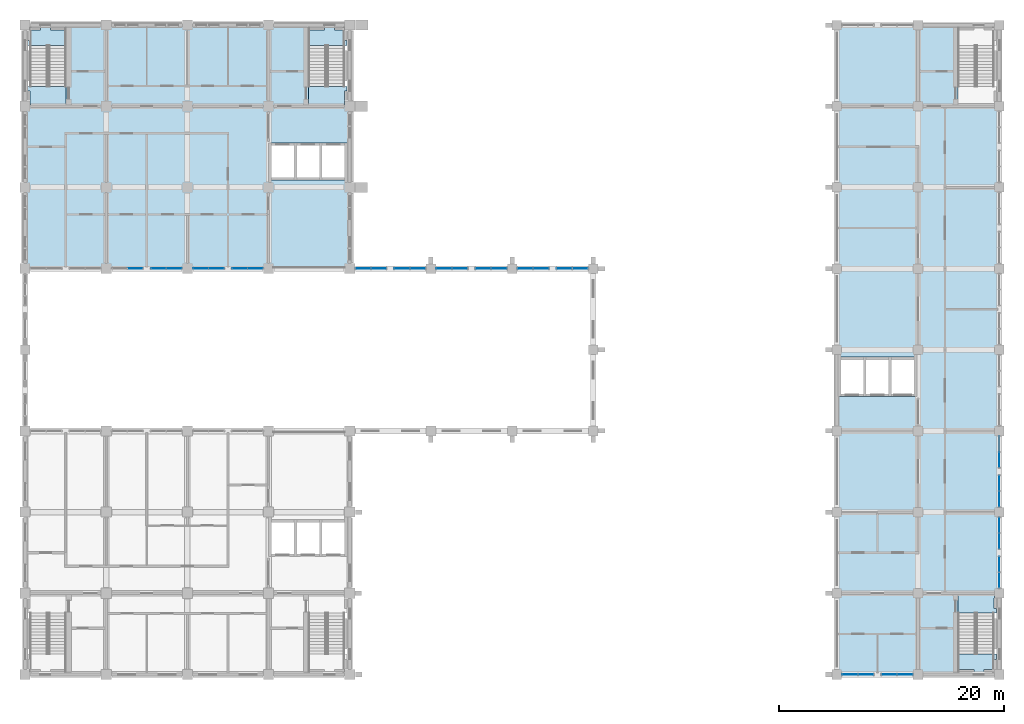
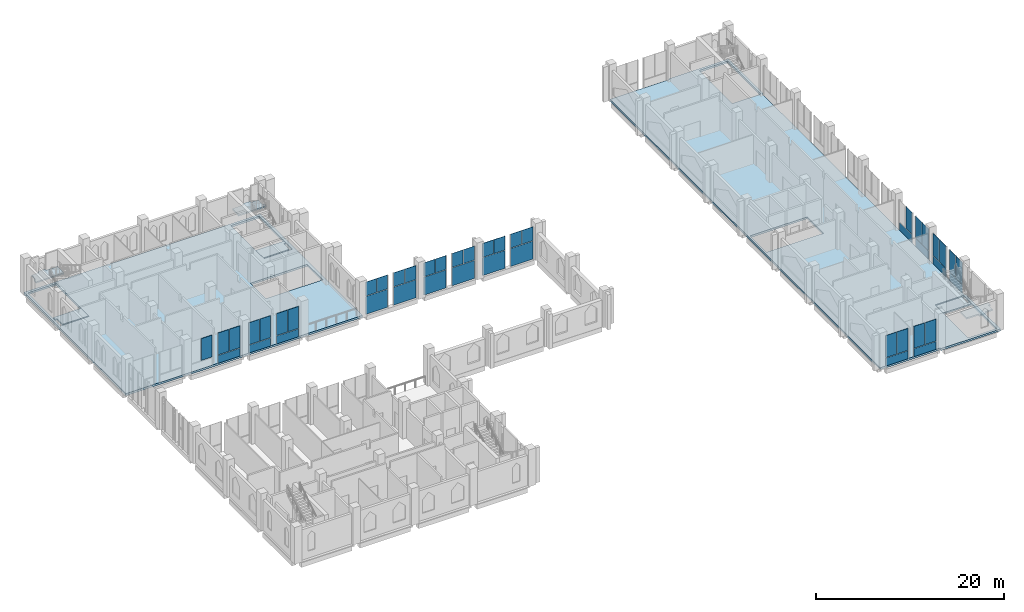
# One storey, part 25 of 40: 45 plates, 8 slabs, 19 elements without a shape of their own.
"""IFC4 building model written with IfcOpenShell, lengths in metres."""

import ifcopenshell
import ifcopenshell.guid

model = None  # the IFC model being written
_history = None  # IfcOwnerHistory: only IFC2X3 demands one
_inside = {}  # id of a spatial element -> (the spatial element, [elements in it])
_under = {}  # id of a project, library or spatial element -> (it, [spatial elements below it])
_declared = {}  # id of a project -> (the project, [libraries it declares])
_typed = {}  # id of a type object -> (the type object, [elements of that type])
_made_of = {}  # id of a material, layer set ... -> (it, [elements and type objects made of it])


def new_model(schema):
    """Start an empty IFC model of exactly this schema.

    Asked for "IFC4X3", IfcOpenShell would pick the latest addendum, in which some entities
    have other attributes; the version numbers below select the first issue.
    IFC2X3 requires an IfcOwnerHistory on every rooted entity: one is made here for all.
    """
    global model, _history
    if schema == "IFC4X3":
        model = ifcopenshell.file(schema_version=(4, 3, 0, 0))
    else:
        model = ifcopenshell.file(schema=schema)
    _inside.clear()
    _under.clear()
    _declared.clear()
    _typed.clear()
    _made_of.clear()
    _history = None
    if model.schema == "IFC2X3":
        org = make("IfcOrganization", Name="unknown")
        user = make(
            "IfcPersonAndOrganization",
            ThePerson=make("IfcPerson", FamilyName="unknown"),
            TheOrganization=org,
        )
        app = make(
            "IfcApplication",
            ApplicationDeveloper=org,
            Version="unknown",
            ApplicationFullName="unknown",
            ApplicationIdentifier="unknown",
        )
        _history = make(
            "IfcOwnerHistory",
            OwningUser=user,
            OwningApplication=app,
            ChangeAction="ADDED",
            CreationDate=0,
        )
    return model


def make(cls, **values):
    """One entity of the class cls with the attributes given. An attribute that is None is left unset."""
    return model.create_entity(
        cls, **{name: value for name, value in values.items() if value is not None}
    )


def rooted(cls, **values):
    """An entity with a GlobalId (a new one), such as an element, a storey or a relation."""
    return make(cls, GlobalId=ifcopenshell.guid.new(), OwnerHistory=_history, **values)


def si_unit(unit_type, name, prefix=None):
    """IfcSIUnit, for example si_unit("LENGTHUNIT", "METRE", prefix="MILLI")."""
    return make("IfcSIUnit", UnitType=unit_type, Prefix=prefix, Name=name)


def assignment(units):
    """IfcUnitAssignment: the units of a project."""
    return None if units is None else make("IfcUnitAssignment", Units=units)


def point(xyz):
    """IfcCartesianPoint."""
    return None if xyz is None else make("IfcCartesianPoint", Coordinates=xyz)


def direction(xyz):
    """IfcDirection."""
    return None if xyz is None else make("IfcDirection", DirectionRatios=xyz)


def frame(location, z_axis=None, x_axis=None):
    """IfcAxis2Placement3D, a coordinate frame: its origin and axes. An axis left out is left unset."""
    return make(
        "IfcAxis2Placement3D",
        Location=point(location),
        Axis=direction(z_axis),
        RefDirection=direction(x_axis),
    )


def frame_2d(location, x_axis=None):
    """IfcAxis2Placement2D, a coordinate frame in the plane: its origin and x axis."""
    return make(
        "IfcAxis2Placement2D", Location=point(location), RefDirection=direction(x_axis)
    )


def origin():
    """The frame at (0, 0, 0) with its axes left unset."""
    return frame((0.0, 0.0, 0.0))


def origin_2d():
    """The frame at (0, 0) in the plane with its x axis left unset."""
    return frame_2d((0.0, 0.0))


def place(relative_to, where):
    """IfcLocalPlacement: puts the frame where relative to a parent placement (None: the world)."""
    return make(
        "IfcLocalPlacement", PlacementRelTo=relative_to, RelativePlacement=where
    )


def context(
    kind, dimensions, precision=None, world=None, true_north=None, identifier=None
):
    """IfcGeometricRepresentationContext, for example the 3D "Model" context."""
    return make(
        "IfcGeometricRepresentationContext",
        ContextIdentifier=identifier,
        ContextType=kind,
        CoordinateSpaceDimension=dimensions,
        Precision=precision,
        WorldCoordinateSystem=world,
        TrueNorth=true_north,
    )


def subcontext(parent, identifier, kind, view, scale=None):
    """IfcGeometricRepresentationSubContext, for example "Body" below "Model"."""
    return make(
        "IfcGeometricRepresentationSubContext",
        ContextIdentifier=identifier,
        ContextType=kind,
        ParentContext=parent,
        TargetScale=scale,
        TargetView=view,
    )


def project(units=None, contexts=None):
    """IfcProject with its units and contexts."""
    return rooted(
        "IfcProject",
        Name="project",
        RepresentationContexts=contexts,
        UnitsInContext=assignment(units),
    )


def spatial(cls, under=None, at=None, **own):
    """A site, building, storey or space (cls), placed at a placement, below another one or the project."""
    s = rooted(cls, ObjectPlacement=at, **own)
    if under is not None:
        _under.setdefault(under.id(), (under, []))[1].append(s)
    return s


def polyline(points):
    """IfcPolyline through the points."""
    return make("IfcPolyline", Points=[point(p) for p in points])


def profile(cls, at=None, kind="AREA", **sizes):
    """A parametric profile (cls). Its sizes go by their IFC names, for example OverallWidth=200.0."""
    return make(cls, ProfileType=kind, Position=at, **sizes)


def rectangle(**sizes):
    """IfcRectangleProfileDef."""
    return profile("IfcRectangleProfileDef", **sizes)


def outline(outer, holes=None, kind="AREA"):
    """IfcArbitraryClosedProfileDef: a profile drawn as a closed curve; with holes, ...WithVoids."""
    if holes is None:
        return make("IfcArbitraryClosedProfileDef", ProfileType=kind, OuterCurve=outer)
    return make(
        "IfcArbitraryProfileDefWithVoids",
        ProfileType=kind,
        OuterCurve=outer,
        InnerCurves=holes,
    )


def extrude(swept, where, along, depth):
    """IfcExtrudedAreaSolid: the profile swept, set in the frame where, extruded along a direction by depth."""
    return make(
        "IfcExtrudedAreaSolid",
        SweptArea=swept,
        Position=where,
        ExtrudedDirection=direction(along),
        Depth=depth,
    )


def shape(context_of_items, identifier, shape_type, items):
    """IfcShapeRepresentation: the items that make up one representation, for example the "Body"."""
    return make(
        "IfcShapeRepresentation",
        ContextOfItems=context_of_items,
        RepresentationIdentifier=identifier,
        RepresentationType=shape_type,
        Items=items,
    )


def material(Name=None, Category=None):
    """IfcMaterial."""
    return make("IfcMaterial", Name=Name, Category=Category)


def layer(
    of_material, thickness, ventilated=None, Name=None, Category=None, Priority=None
):
    """IfcMaterialLayer: one layer of a wall or slab, of a material (None: an air gap)."""
    return make(
        "IfcMaterialLayer",
        Material=of_material,
        LayerThickness=thickness,
        IsVentilated=ventilated,
        Name=Name,
        Category=Category,
        Priority=Priority,
    )


def layer_set(layers, Name=None):
    """IfcMaterialLayerSet."""
    return make("IfcMaterialLayerSet", MaterialLayers=layers, LayerSetName=Name)


def made_of(thing, what):
    """Note that an element or type object is made of a material, layer set ...; save() writes the relation."""
    if what is not None:
        _made_of.setdefault(what.id(), (what, []))[1].append(thing)
    return thing


def type_object(cls, material=None, **own):
    """A type object (cls), such as IfcWallType, which elements share."""
    return made_of(rooted(cls, **own), material)


def element(
    cls,
    number,
    at=None,
    inside=None,
    cuts=None,
    type_object=None,
    material=None,
    context=None,
    identifier="Body",
    shape_type=None,
    held_by="IfcProductDefinitionShape",
    body=None,
    shapes=None,
    **own,
):
    """One element of the class cls, such as IfcWall. Its Tag is "e" and its number.

    at: its placement. inside: the storey or other place that contains it. cuts: it is an
    opening in that element (IfcRelVoidsElement). A single representation is given by context,
    identifier, shape_type and body (its items); several are given by shapes. held_by: the class
    of the entity that holds the representations. save() writes the other relations.
    """
    e = rooted(cls, Tag="e%d" % number, ObjectPlacement=at, **own)
    if body is not None:
        shapes = [shape(context, identifier, shape_type, body)]
    if shapes is not None:
        e.Representation = make(held_by, Representations=shapes)
    if inside is not None:
        _inside.setdefault(inside.id(), (inside, []))[1].append(e)
    if cuts is not None:
        rooted(
            "IfcRelVoidsElement", RelatingBuildingElement=cuts, RelatedOpeningElement=e
        )
    if type_object is not None:
        _typed.setdefault(type_object.id(), (type_object, []))[1].append(e)
    return made_of(e, material)


def aggregate(whole, parts):
    """IfcRelAggregates: a whole, such as a stair, and the parts it consists of."""
    return rooted("IfcRelAggregates", RelatingObject=whole, RelatedObjects=parts)


def save(model, path):
    """Write the relations noted so far, then the file.

    IfcRelAggregates (storeys below a building ...), IfcRelContainedInSpatialStructure (elements
    in a storey), IfcRelDefinesByType, IfcRelAssociatesMaterial and IfcRelDeclares: one each for
    every whole, place, type object, material and project.
    """
    for whole, parts in _under.values():
        aggregate(whole, parts)
    for where, things in _inside.values():
        rooted(
            "IfcRelContainedInSpatialStructure",
            RelatedElements=things,
            RelatingStructure=where,
        )
    for kind, things in _typed.values():
        rooted("IfcRelDefinesByType", RelatedObjects=things, RelatingType=kind)
    for what, things in _made_of.values():
        rooted("IfcRelAssociatesMaterial", RelatedObjects=things, RelatingMaterial=what)
    for by, libraries in _declared.values():
        rooted("IfcRelDeclares", RelatingContext=by, RelatedDefinitions=libraries)
    model.write(path)


model = new_model("IFC4")

# Units and contexts
model_context = context("Model", 3, precision=1e-05, world=origin(), true_north=direction((0.0, 1.0)))
body_context = subcontext(model_context, "Body", "Model", "MODEL_VIEW")
ifc_project = project(units=[si_unit("LENGTHUNIT", "METRE"), si_unit("AREAUNIT", "SQUARE_METRE"), si_unit("VOLUMEUNIT", "CUBIC_METRE"), si_unit("PLANEANGLEUNIT", "RADIAN"), si_unit("MASSUNIT", "GRAM", prefix="KILO")], contexts=[model_context])

# Site, building, storey
site_placement = place(None, origin())
site = spatial("IfcSite", under=ifc_project, at=site_placement, CompositionType="ELEMENT")
building_placement = place(site_placement, origin())
building = spatial("IfcBuilding", under=site, at=building_placement, Name="Silangan Lancet Faculty of Sciences", CompositionType="ELEMENT")
storey_placement = place(building_placement, frame((0.0, 0.0, 16.800048828125)))
storey = spatial("IfcBuildingStorey", under=building, at=storey_placement, Name="L03", CompositionType="ELEMENT", Elevation=16.800048828125)

# Curtain wall, plates
ifc_material_1 = material(Name="Aluminium framed curtain wall with insulated glass", Category="aluminium")
curtain_wall_type_1 = type_object("IfcCurtainWallType", Name="CW1 Commons and east block glazing", PredefinedType="NOTDEFINED", material=ifc_material_1)
curtain_wall_1_placement = place(storey_placement, origin())
curtain_wall_1 = element("IfcCurtainWall", 1, at=curtain_wall_1_placement, inside=storey, type_object=curtain_wall_type_1, Name="CW1 East commons L03 bay 1", PredefinedType="NOTDEFINED")
ifc_material_2 = material(Name="Insulated glass unit 8+16+8 low-emissivity", Category="glass")
ifc_layer_1 = layer(ifc_material_2, 0.031982421875)
ifc_layer_set_1 = layer_set([ifc_layer_1], Name="Insulated glass unit 8+16+8 low-emissivity")
plate_type_1 = type_object("IfcPlateType", Name="CP1 Panel vision glass 32", PredefinedType="CURTAIN_PANEL", material=ifc_layer_set_1)
plate_1_placement = place(storey_placement, frame((86.39990234375, 8.358642578125, 1.099853515625), z_axis=(0.0, 0.0, 1.0), x_axis=(0.0, 1.0, 0.0)))
plate_1 = element("IfcPlate", 2, at=plate_1_placement, type_object=plate_type_1, Name="CW1 East commons L03 bay 1 panel 2", PredefinedType="CURTAIN_PANEL", context=body_context, shape_type="SweptSolid", body=[
    extrude(rectangle(XDim=1.347412109375, YDim=0.031982421875, at=origin_2d()), origin(), (0.0, 0.0, 1.0), 2.85009765625),
])
plate_2_placement = place(storey_placement, frame((86.39990234375, 9.766357421875, 1.099853515625), z_axis=(0.0, 0.0, 1.0), x_axis=(0.0, 1.0, 0.0)))
plate_2 = element("IfcPlate", 3, at=plate_2_placement, type_object=plate_type_1, Name="CW1 East commons L03 bay 1 panel 3", PredefinedType="CURTAIN_PANEL", context=body_context, shape_type="SweptSolid", body=[
    extrude(rectangle(XDim=1.347412109375, YDim=0.031982421875, at=origin_2d()), origin(), (0.0, 0.0, 1.0), 2.85009765625),
])

curtain_wall_2_placement = place(storey_placement, origin())
curtain_wall_2 = element("IfcCurtainWall", 4, at=curtain_wall_2_placement, inside=storey, type_object=curtain_wall_type_1, Name="CW1 East commons L03 bay 2", PredefinedType="NOTDEFINED")
plate_3_placement = place(storey_placement, frame((86.39990234375, 11.833740234375, 1.099853515625), z_axis=(0.0, 0.0, 1.0), x_axis=(0.0, 1.0, 0.0)))
plate_3 = element("IfcPlate", 5, at=plate_3_placement, type_object=plate_type_1, Name="CW1 East commons L03 bay 2 panel 2", PredefinedType="CURTAIN_PANEL", context=body_context, shape_type="SweptSolid", body=[
    extrude(rectangle(XDim=1.347412109375, YDim=0.031982421875, at=origin_2d()), origin(), (0.0, 0.0, 1.0), 2.85009765625),
])
plate_4_placement = place(storey_placement, frame((86.39990234375, 13.2412109375, 1.099853515625), z_axis=(0.0, 0.0, 1.0), x_axis=(0.0, 1.0, 0.0)))
plate_4 = element("IfcPlate", 6, at=plate_4_placement, type_object=plate_type_1, Name="CW1 East commons L03 bay 2 panel 3", PredefinedType="CURTAIN_PANEL", context=body_context, shape_type="SweptSolid", body=[
    extrude(rectangle(XDim=1.347412109375, YDim=0.031982421875, at=origin_2d()), origin(), (0.0, 0.0, 1.0), 2.85009765625),
])

curtain_wall_3_placement = place(storey_placement, origin())
curtain_wall_3 = element("IfcCurtainWall", 7, at=curtain_wall_3_placement, inside=storey, type_object=curtain_wall_type_1, Name="CW1 East commons L03 bay 3", PredefinedType="NOTDEFINED")
plate_5_placement = place(storey_placement, frame((86.39990234375, 15.558837890625, 1.099853515625), z_axis=(0.0, 0.0, 1.0), x_axis=(0.0, 1.0, 0.0)))
plate_5 = element("IfcPlate", 8, at=plate_5_placement, type_object=plate_type_1, Name="CW1 East commons L03 bay 3 panel 2", PredefinedType="CURTAIN_PANEL", context=body_context, shape_type="SweptSolid", body=[
    extrude(rectangle(XDim=1.347412109375, YDim=0.031982421875, at=origin_2d()), origin(), (0.0, 0.0, 1.0), 2.85009765625),
])
plate_6_placement = place(storey_placement, frame((86.39990234375, 16.96630859375, 1.099853515625), z_axis=(0.0, 0.0, 1.0), x_axis=(0.0, 1.0, 0.0)))
plate_6 = element("IfcPlate", 9, at=plate_6_placement, type_object=plate_type_1, Name="CW1 East commons L03 bay 3 panel 3", PredefinedType="CURTAIN_PANEL", context=body_context, shape_type="SweptSolid", body=[
    extrude(rectangle(XDim=1.347412109375, YDim=0.031982421875, at=origin_2d()), origin(), (0.0, 0.0, 1.0), 2.85009765625),
])

# Curtain wall, plate
curtain_wall_4_placement = place(storey_placement, origin())
curtain_wall_4 = element("IfcCurtainWall", 10, at=curtain_wall_4_placement, inside=storey, type_object=curtain_wall_type_1, Name="CW1 East commons L03 bay 4", PredefinedType="NOTDEFINED")
plate_7_placement = place(storey_placement, frame((86.39990234375, 19.03369140625, 1.099853515625), z_axis=(0.0, 0.0, 1.0), x_axis=(0.0, 1.0, 0.0)))
plate_7 = element("IfcPlate", 11, at=plate_7_placement, type_object=plate_type_1, Name="CW1 East commons L03 bay 4 panel 2", PredefinedType="CURTAIN_PANEL", context=body_context, shape_type="SweptSolid", body=[
    extrude(rectangle(XDim=1.347412109375, YDim=0.031982421875, at=origin_2d()), origin(), (0.0, 0.0, 1.0), 2.85009765625),
])

# Curtain wall, plates
curtain_wall_5_placement = place(storey_placement, origin())
curtain_wall_5 = element("IfcCurtainWall", 12, at=curtain_wall_5_placement, inside=storey, type_object=curtain_wall_type_1, Name="CW1 East block south L03 bay 1", PredefinedType="NOTDEFINED")
plate_8_placement = place(storey_placement, frame((73.15869140625, 0.0, 1.099853515625), z_axis=(0.0, 0.0, 1.0), x_axis=(1.0, 0.0, 0.0)))
plate_8 = element("IfcPlate", 13, at=plate_8_placement, type_object=plate_type_1, Name="CW1 East block south L03 bay 1 panel 2", PredefinedType="CURTAIN_PANEL", context=body_context, shape_type="SweptSolid", body=[
    extrude(rectangle(XDim=1.34765625, YDim=0.031982421875, at=origin_2d()), origin(), (0.0, 0.0, 1.0), 2.85009765625),
])
plate_9_placement = place(storey_placement, frame((74.56640625, 0.0, 1.099853515625), z_axis=(0.0, 0.0, 1.0), x_axis=(1.0, 0.0, 0.0)))
plate_9 = element("IfcPlate", 14, at=plate_9_placement, type_object=plate_type_1, Name="CW1 East block south L03 bay 1 panel 3", PredefinedType="CURTAIN_PANEL", context=body_context, shape_type="SweptSolid", body=[
    extrude(rectangle(XDim=1.34765625, YDim=0.031982421875, at=origin_2d()), origin(), (0.0, 0.0, 1.0), 2.85009765625),
])

curtain_wall_6_placement = place(storey_placement, origin())
curtain_wall_6 = element("IfcCurtainWall", 15, at=curtain_wall_6_placement, inside=storey, type_object=curtain_wall_type_1, Name="CW1 East block south L03 bay 2", PredefinedType="NOTDEFINED")
plate_10_placement = place(storey_placement, frame((76.6337890625, 0.0, 1.099853515625), z_axis=(0.0, 0.0, 1.0), x_axis=(1.0, 0.0, 0.0)))
plate_10 = element("IfcPlate", 16, at=plate_10_placement, type_object=plate_type_1, Name="CW1 East block south L03 bay 2 panel 2", PredefinedType="CURTAIN_PANEL", context=body_context, shape_type="SweptSolid", body=[
    extrude(rectangle(XDim=1.347412109375, YDim=0.031982421875, at=origin_2d()), origin(), (0.0, 0.0, 1.0), 2.85009765625),
])
plate_11_placement = place(storey_placement, frame((78.041259765625, 0.0, 1.099853515625), z_axis=(0.0, 0.0, 1.0), x_axis=(1.0, 0.0, 0.0)))
plate_11 = element("IfcPlate", 17, at=plate_11_placement, type_object=plate_type_1, Name="CW1 East block south L03 bay 2 panel 3", PredefinedType="CURTAIN_PANEL", context=body_context, shape_type="SweptSolid", body=[
    extrude(rectangle(XDim=1.347412109375, YDim=0.031982421875, at=origin_2d()), origin(), (0.0, 0.0, 1.0), 2.85009765625),
])

ifc_material_3 = material(Name="Aluminium framed curtain wall with insulated glass", Category="aluminium")
curtain_wall_type_2 = type_object("IfcCurtainWallType", Name="CW5 Nave north light glazing", PredefinedType="NOTDEFINED", material=ifc_material_3)
curtain_wall_7_placement = place(storey_placement, origin())
curtain_wall_7 = element("IfcCurtainWall", 18, at=curtain_wall_7_placement, inside=storey, type_object=curtain_wall_type_2, Name="CW5 Nave north lights L03 bay 1", PredefinedType="NOTDEFINED")
plate_12_placement = place(storey_placement, frame((48.53759765625, 36.0, 0.0), z_axis=(0.0, 0.0, 1.0), x_axis=(-1.0, 0.0, 0.0)))
plate_12 = element("IfcPlate", 19, at=plate_12_placement, type_object=plate_type_1, Name="CW5 Nave north lights L03 bay 1 panel 1", PredefinedType="CURTAIN_PANEL", context=body_context, shape_type="SweptSolid", body=[
    extrude(rectangle(XDim=2.7548828125, YDim=0.031982421875, at=origin_2d()), origin(), (0.0, 0.0, 1.0), 2.340087890625),
])
plate_13_placement = place(storey_placement, frame((49.2412109375, 36.0, 2.39990234375), z_axis=(0.0, 0.0, 1.0), x_axis=(-1.0, 0.0, 0.0)))
plate_13 = element("IfcPlate", 20, at=plate_13_placement, type_object=plate_type_1, Name="CW5 Nave north lights L03 bay 1 panel 2", PredefinedType="CURTAIN_PANEL", context=body_context, shape_type="SweptSolid", body=[
    extrude(rectangle(XDim=1.347412109375, YDim=0.031982421875, at=origin_2d()), origin(), (0.0, 0.0, 1.0), 1.800048828125),
])
plate_14_placement = place(storey_placement, frame((47.833740234375, 36.0, 2.39990234375), z_axis=(0.0, 0.0, 1.0), x_axis=(-1.0, 0.0, 0.0)))
plate_14 = element("IfcPlate", 21, at=plate_14_placement, type_object=plate_type_1, Name="CW5 Nave north lights L03 bay 1 panel 3", PredefinedType="CURTAIN_PANEL", context=body_context, shape_type="SweptSolid", body=[
    extrude(rectangle(XDim=1.347412109375, YDim=0.031982421875, at=origin_2d()), origin(), (0.0, 0.0, 1.0), 1.800048828125),
])
aggregate(curtain_wall_7, [plate_12, plate_13, plate_14])

curtain_wall_8_placement = place(storey_placement, origin())
curtain_wall_8 = element("IfcCurtainWall", 22, at=curtain_wall_8_placement, inside=storey, type_object=curtain_wall_type_2, Name="CW5 Nave north lights L03 bay 2", PredefinedType="NOTDEFINED")
plate_15_placement = place(storey_placement, frame((45.0625, 36.0, 0.0), z_axis=(0.0, 0.0, 1.0), x_axis=(-1.0, 0.0, 0.0)))
plate_15 = element("IfcPlate", 23, at=plate_15_placement, type_object=plate_type_1, Name="CW5 Nave north lights L03 bay 2 panel 1", PredefinedType="CURTAIN_PANEL", context=body_context, shape_type="SweptSolid", body=[
    extrude(rectangle(XDim=2.7548828125, YDim=0.031982421875, at=origin_2d()), origin(), (0.0, 0.0, 1.0), 2.340087890625),
])
plate_16_placement = place(storey_placement, frame((45.766357421875, 36.0, 2.39990234375), z_axis=(0.0, 0.0, 1.0), x_axis=(-1.0, 0.0, 0.0)))
plate_16 = element("IfcPlate", 24, at=plate_16_placement, type_object=plate_type_1, Name="CW5 Nave north lights L03 bay 2 panel 2", PredefinedType="CURTAIN_PANEL", context=body_context, shape_type="SweptSolid", body=[
    extrude(rectangle(XDim=1.347412109375, YDim=0.031982421875, at=origin_2d()), origin(), (0.0, 0.0, 1.0), 1.800048828125),
])
plate_17_placement = place(storey_placement, frame((44.358642578125, 36.0, 2.39990234375), z_axis=(0.0, 0.0, 1.0), x_axis=(-1.0, 0.0, 0.0)))
plate_17 = element("IfcPlate", 25, at=plate_17_placement, type_object=plate_type_1, Name="CW5 Nave north lights L03 bay 2 panel 3", PredefinedType="CURTAIN_PANEL", context=body_context, shape_type="SweptSolid", body=[
    extrude(rectangle(XDim=1.347412109375, YDim=0.031982421875, at=origin_2d()), origin(), (0.0, 0.0, 1.0), 1.800048828125),
])
aggregate(curtain_wall_8, [plate_15, plate_16, plate_17])

curtain_wall_9_placement = place(storey_placement, origin())
curtain_wall_9 = element("IfcCurtainWall", 26, at=curtain_wall_9_placement, inside=storey, type_object=curtain_wall_type_2, Name="CW5 Nave north lights L03 bay 3", PredefinedType="NOTDEFINED")
plate_18_placement = place(storey_placement, frame((41.337646484375, 36.0, 0.0), z_axis=(0.0, 0.0, 1.0), x_axis=(-1.0, 0.0, 0.0)))
plate_18 = element("IfcPlate", 27, at=plate_18_placement, type_object=plate_type_1, Name="CW5 Nave north lights L03 bay 3 panel 1", PredefinedType="CURTAIN_PANEL", context=body_context, shape_type="SweptSolid", body=[
    extrude(rectangle(XDim=2.7548828125, YDim=0.031982421875, at=origin_2d()), origin(), (0.0, 0.0, 1.0), 2.340087890625),
])
plate_19_placement = place(storey_placement, frame((42.041259765625, 36.0, 2.39990234375), z_axis=(0.0, 0.0, 1.0), x_axis=(-1.0, 0.0, 0.0)))
plate_19 = element("IfcPlate", 28, at=plate_19_placement, type_object=plate_type_1, Name="CW5 Nave north lights L03 bay 3 panel 2", PredefinedType="CURTAIN_PANEL", context=body_context, shape_type="SweptSolid", body=[
    extrude(rectangle(XDim=1.347412109375, YDim=0.031982421875, at=origin_2d()), origin(), (0.0, 0.0, 1.0), 1.800048828125),
])
plate_20_placement = place(storey_placement, frame((40.6337890625, 36.0, 2.39990234375), z_axis=(0.0, 0.0, 1.0), x_axis=(-1.0, 0.0, 0.0)))
plate_20 = element("IfcPlate", 29, at=plate_20_placement, type_object=plate_type_1, Name="CW5 Nave north lights L03 bay 3 panel 3", PredefinedType="CURTAIN_PANEL", context=body_context, shape_type="SweptSolid", body=[
    extrude(rectangle(XDim=1.347412109375, YDim=0.031982421875, at=origin_2d()), origin(), (0.0, 0.0, 1.0), 1.800048828125),
])
aggregate(curtain_wall_9, [plate_18, plate_19, plate_20])

curtain_wall_10_placement = place(storey_placement, origin())
curtain_wall_10 = element("IfcCurtainWall", 30, at=curtain_wall_10_placement, inside=storey, type_object=curtain_wall_type_2, Name="CW5 Nave north lights L03 bay 4", PredefinedType="NOTDEFINED")
plate_21_placement = place(storey_placement, frame((37.862548828125, 36.0, 0.0), z_axis=(0.0, 0.0, 1.0), x_axis=(-1.0, 0.0, 0.0)))
plate_21 = element("IfcPlate", 31, at=plate_21_placement, type_object=plate_type_1, Name="CW5 Nave north lights L03 bay 4 panel 1", PredefinedType="CURTAIN_PANEL", context=body_context, shape_type="SweptSolid", body=[
    extrude(rectangle(XDim=2.755126953125, YDim=0.031982421875, at=origin_2d()), origin(), (0.0, 0.0, 1.0), 2.340087890625),
])
plate_22_placement = place(storey_placement, frame((38.56640625, 36.0, 2.39990234375), z_axis=(0.0, 0.0, 1.0), x_axis=(-1.0, 0.0, 0.0)))
plate_22 = element("IfcPlate", 32, at=plate_22_placement, type_object=plate_type_1, Name="CW5 Nave north lights L03 bay 4 panel 2", PredefinedType="CURTAIN_PANEL", context=body_context, shape_type="SweptSolid", body=[
    extrude(rectangle(XDim=1.34765625, YDim=0.031982421875, at=origin_2d()), origin(), (0.0, 0.0, 1.0), 1.800048828125),
])
plate_23_placement = place(storey_placement, frame((37.15869140625, 36.0, 2.39990234375), z_axis=(0.0, 0.0, 1.0), x_axis=(-1.0, 0.0, 0.0)))
plate_23 = element("IfcPlate", 33, at=plate_23_placement, type_object=plate_type_1, Name="CW5 Nave north lights L03 bay 4 panel 3", PredefinedType="CURTAIN_PANEL", context=body_context, shape_type="SweptSolid", body=[
    extrude(rectangle(XDim=1.34765625, YDim=0.031982421875, at=origin_2d()), origin(), (0.0, 0.0, 1.0), 1.800048828125),
])
aggregate(curtain_wall_10, [plate_21, plate_22, plate_23])

curtain_wall_11_placement = place(storey_placement, origin())
curtain_wall_11 = element("IfcCurtainWall", 34, at=curtain_wall_11_placement, inside=storey, type_object=curtain_wall_type_2, Name="CW5 Nave north lights L03 bay 5", PredefinedType="NOTDEFINED")
plate_24_placement = place(storey_placement, frame((34.137451171875, 36.0, 0.0), z_axis=(0.0, 0.0, 1.0), x_axis=(-1.0, 0.0, 0.0)))
plate_24 = element("IfcPlate", 35, at=plate_24_placement, type_object=plate_type_1, Name="CW5 Nave north lights L03 bay 5 panel 1", PredefinedType="CURTAIN_PANEL", context=body_context, shape_type="SweptSolid", body=[
    extrude(rectangle(XDim=2.755126953125, YDim=0.031982421875, at=origin_2d()), origin(), (0.0, 0.0, 1.0), 2.340087890625),
])
plate_25_placement = place(storey_placement, frame((34.84130859375, 36.0, 2.39990234375), z_axis=(0.0, 0.0, 1.0), x_axis=(-1.0, 0.0, 0.0)))
plate_25 = element("IfcPlate", 36, at=plate_25_placement, type_object=plate_type_1, Name="CW5 Nave north lights L03 bay 5 panel 2", PredefinedType="CURTAIN_PANEL", context=body_context, shape_type="SweptSolid", body=[
    extrude(rectangle(XDim=1.34765625, YDim=0.031982421875, at=origin_2d()), origin(), (0.0, 0.0, 1.0), 1.800048828125),
])
plate_26_placement = place(storey_placement, frame((33.43359375, 36.0, 2.39990234375), z_axis=(0.0, 0.0, 1.0), x_axis=(-1.0, 0.0, 0.0)))
plate_26 = element("IfcPlate", 37, at=plate_26_placement, type_object=plate_type_1, Name="CW5 Nave north lights L03 bay 5 panel 3", PredefinedType="CURTAIN_PANEL", context=body_context, shape_type="SweptSolid", body=[
    extrude(rectangle(XDim=1.34765625, YDim=0.031982421875, at=origin_2d()), origin(), (0.0, 0.0, 1.0), 1.800048828125),
])
aggregate(curtain_wall_11, [plate_24, plate_25, plate_26])

curtain_wall_12_placement = place(storey_placement, origin())
curtain_wall_12 = element("IfcCurtainWall", 38, at=curtain_wall_12_placement, inside=storey, type_object=curtain_wall_type_2, Name="CW5 Nave north lights L03 bay 6", PredefinedType="NOTDEFINED")
plate_27_placement = place(storey_placement, frame((30.675048828125, 36.0, 0.0), z_axis=(0.0, 0.0, 1.0), x_axis=(-1.0, 0.0, 0.0)))
plate_27 = element("IfcPlate", 39, at=plate_27_placement, type_object=plate_type_1, Name="CW5 Nave north lights L03 bay 6 panel 1", PredefinedType="CURTAIN_PANEL", context=body_context, shape_type="SweptSolid", body=[
    extrude(rectangle(XDim=2.72998046875, YDim=0.031982421875, at=origin_2d()), origin(), (0.0, 0.0, 1.0), 2.340087890625),
])
plate_28_placement = place(storey_placement, frame((31.372314453125, 36.0, 2.39990234375), z_axis=(0.0, 0.0, 1.0), x_axis=(-1.0, 0.0, 0.0)))
plate_28 = element("IfcPlate", 40, at=plate_28_placement, type_object=plate_type_1, Name="CW5 Nave north lights L03 bay 6 panel 2", PredefinedType="CURTAIN_PANEL", context=body_context, shape_type="SweptSolid", body=[
    extrude(rectangle(XDim=1.3349609375, YDim=0.031982421875, at=origin_2d()), origin(), (0.0, 0.0, 1.0), 1.800048828125),
])
plate_29_placement = place(storey_placement, frame((29.9775390625, 36.0, 2.39990234375), z_axis=(0.0, 0.0, 1.0), x_axis=(-1.0, 0.0, 0.0)))
plate_29 = element("IfcPlate", 41, at=plate_29_placement, type_object=plate_type_1, Name="CW5 Nave north lights L03 bay 6 panel 3", PredefinedType="CURTAIN_PANEL", context=body_context, shape_type="SweptSolid", body=[
    extrude(rectangle(XDim=1.3349609375, YDim=0.031982421875, at=origin_2d()), origin(), (0.0, 0.0, 1.0), 1.800048828125),
])
aggregate(curtain_wall_12, [plate_27, plate_28, plate_29])

# Plate
ifc_material_4 = material(Name="Laminated insulated glass unit 10.76+14+8", Category="glass")
ifc_layer_2 = layer(ifc_material_4, 0.035888671875)
ifc_layer_set_2 = layer_set([ifc_layer_2], Name="Laminated insulated glass unit 10.76+14+8")
plate_type_2 = type_object("IfcPlateType", Name="CP2 Panel laminated glass 36", PredefinedType="CURTAIN_PANEL", material=ifc_layer_set_2)
plate_30_placement = place(storey_placement, frame((86.39990234375, 9.0625, 0.0), z_axis=(0.0, 0.0, 1.0), x_axis=(0.0, 1.0, 0.0)))
plate_30 = element("IfcPlate", 42, at=plate_30_placement, type_object=plate_type_2, Name="CW1 East commons L03 bay 1 panel 1", PredefinedType="CURTAIN_PANEL", context=body_context, shape_type="SweptSolid", body=[
    extrude(rectangle(XDim=2.7548828125, YDim=0.035888671875, at=origin_2d()), origin(), (0.0, 0.0, 1.0), 1.0400390625),
])

aggregate(curtain_wall_1, [plate_30, plate_1, plate_2])

plate_31_placement = place(storey_placement, frame((86.39990234375, 12.53759765625, 0.0), z_axis=(0.0, 0.0, 1.0), x_axis=(0.0, 1.0, 0.0)))
plate_31 = element("IfcPlate", 43, at=plate_31_placement, type_object=plate_type_2, Name="CW1 East commons L03 bay 2 panel 1", PredefinedType="CURTAIN_PANEL", context=body_context, shape_type="SweptSolid", body=[
    extrude(rectangle(XDim=2.7548828125, YDim=0.035888671875, at=origin_2d()), origin(), (0.0, 0.0, 1.0), 1.0400390625),
])

aggregate(curtain_wall_2, [plate_31, plate_3, plate_4])

plate_32_placement = place(storey_placement, frame((86.39990234375, 16.262451171875, 0.0), z_axis=(0.0, 0.0, 1.0), x_axis=(0.0, 1.0, 0.0)))
plate_32 = element("IfcPlate", 44, at=plate_32_placement, type_object=plate_type_2, Name="CW1 East commons L03 bay 3 panel 1", PredefinedType="CURTAIN_PANEL", context=body_context, shape_type="SweptSolid", body=[
    extrude(rectangle(XDim=2.7548828125, YDim=0.035888671875, at=origin_2d()), origin(), (0.0, 0.0, 1.0), 1.0400390625),
])

aggregate(curtain_wall_3, [plate_32, plate_5, plate_6])

plate_33_placement = place(storey_placement, frame((86.39990234375, 19.737548828125, 0.0), z_axis=(0.0, 0.0, 1.0), x_axis=(0.0, 1.0, 0.0)))
plate_33 = element("IfcPlate", 45, at=plate_33_placement, type_object=plate_type_2, Name="CW1 East commons L03 bay 4 panel 1", PredefinedType="CURTAIN_PANEL", context=body_context, shape_type="SweptSolid", body=[
    extrude(rectangle(XDim=2.7548828125, YDim=0.035888671875, at=origin_2d()), origin(), (0.0, 0.0, 1.0), 1.0400390625),
])

aggregate(curtain_wall_4, [plate_33, plate_7])

plate_34_placement = place(storey_placement, frame((73.862548828125, 0.0, 0.0), z_axis=(0.0, 0.0, 1.0), x_axis=(1.0, 0.0, 0.0)))
plate_34 = element("IfcPlate", 46, at=plate_34_placement, type_object=plate_type_2, Name="CW1 East block south L03 bay 1 panel 1", PredefinedType="CURTAIN_PANEL", context=body_context, shape_type="SweptSolid", body=[
    extrude(rectangle(XDim=2.755126953125, YDim=0.035888671875, at=origin_2d()), origin(), (0.0, 0.0, 1.0), 1.0400390625),
])

aggregate(curtain_wall_5, [plate_34, plate_8, plate_9])

plate_35_placement = place(storey_placement, frame((77.337646484375, 0.0, 0.0), z_axis=(0.0, 0.0, 1.0), x_axis=(1.0, 0.0, 0.0)))
plate_35 = element("IfcPlate", 47, at=plate_35_placement, type_object=plate_type_2, Name="CW1 East block south L03 bay 2 panel 1", PredefinedType="CURTAIN_PANEL", context=body_context, shape_type="SweptSolid", body=[
    extrude(rectangle(XDim=2.7548828125, YDim=0.035888671875, at=origin_2d()), origin(), (0.0, 0.0, 1.0), 1.0400390625),
])

aggregate(curtain_wall_6, [plate_35, plate_10, plate_11])

# Curtain wall, plate
ifc_material_5 = material(Name="Aluminium framed curtain wall with insulated glass", Category="aluminium")
curtain_wall_type_3 = type_object("IfcCurtainWallType", Name="CW2 Atrium fire-resisting screen", PredefinedType="NOTDEFINED", material=ifc_material_5)
curtain_wall_13_placement = place(storey_placement, origin())
curtain_wall_13 = element("IfcCurtainWall", 48, at=curtain_wall_13_placement, inside=storey, type_object=curtain_wall_type_3, Name="CW2 Atrium north L03 bay 3", PredefinedType="NOTDEFINED")
ifc_material_6 = material(Name="Fire-resisting glass unit 40 mm, integrity E", Category="glass")
ifc_layer_3 = layer(ifc_material_6, 0.0400390625)
ifc_layer_set_3 = layer_set([ifc_layer_3], Name="Fire-resisting glass unit 40 mm, integrity E")
plate_type_3 = type_object("IfcPlateType", Name="CP3 Panel fire-resisting glass 40", PredefinedType="CURTAIN_PANEL", material=ifc_layer_set_3)
plate_36_placement = place(storey_placement, frame((9.768798828125, 36.0, 1.099853515625), z_axis=(0.0, 0.0, 1.0), x_axis=(1.0, 0.0, 0.0)))
plate_36 = element("IfcPlate", 49, at=plate_36_placement, type_object=plate_type_3, Name="CW2 Atrium north L03 bay 3 panel 3", PredefinedType="CURTAIN_PANEL", context=body_context, shape_type="SweptSolid", body=[
    extrude(rectangle(XDim=1.3125, YDim=0.0400390625, at=origin_2d()), origin(), (0.0, 0.0, 1.0), 2.85009765625),
])
aggregate(curtain_wall_13, [plate_36])

# Curtain wall, plates
curtain_wall_14_placement = place(storey_placement, origin())
curtain_wall_14 = element("IfcCurtainWall", 50, at=curtain_wall_14_placement, inside=storey, type_object=curtain_wall_type_3, Name="CW2 Atrium north L03 bay 4", PredefinedType="NOTDEFINED")
plate_37_placement = place(storey_placement, frame((12.52490234375, 36.0, 0.0), z_axis=(0.0, 0.0, 1.0), x_axis=(1.0, 0.0, 0.0)))
plate_37 = element("IfcPlate", 51, at=plate_37_placement, type_object=plate_type_3, Name="CW2 Atrium north L03 bay 4 panel 1", PredefinedType="CURTAIN_PANEL", context=body_context, shape_type="SweptSolid", body=[
    extrude(rectangle(XDim=2.699951171875, YDim=0.0400390625, at=origin_2d()), origin(), (0.0, 0.0, 1.0), 1.02490234375),
])
plate_38_placement = place(storey_placement, frame((11.831298828125, 36.0, 1.099853515625), z_axis=(0.0, 0.0, 1.0), x_axis=(1.0, 0.0, 0.0)))
plate_38 = element("IfcPlate", 52, at=plate_38_placement, type_object=plate_type_3, Name="CW2 Atrium north L03 bay 4 panel 2", PredefinedType="CURTAIN_PANEL", context=body_context, shape_type="SweptSolid", body=[
    extrude(rectangle(XDim=1.3125, YDim=0.0400390625, at=origin_2d()), origin(), (0.0, 0.0, 1.0), 2.85009765625),
])
plate_39_placement = place(storey_placement, frame((13.21875, 36.0, 1.099853515625), z_axis=(0.0, 0.0, 1.0), x_axis=(1.0, 0.0, 0.0)))
plate_39 = element("IfcPlate", 53, at=plate_39_placement, type_object=plate_type_3, Name="CW2 Atrium north L03 bay 4 panel 3", PredefinedType="CURTAIN_PANEL", context=body_context, shape_type="SweptSolid", body=[
    extrude(rectangle(XDim=1.3125, YDim=0.0400390625, at=origin_2d()), origin(), (0.0, 0.0, 1.0), 2.85009765625),
])
aggregate(curtain_wall_14, [plate_37, plate_38, plate_39])

curtain_wall_15_placement = place(storey_placement, origin())
curtain_wall_15 = element("IfcCurtainWall", 54, at=curtain_wall_15_placement, inside=storey, type_object=curtain_wall_type_3, Name="CW2 Atrium north L03 bay 5", PredefinedType="NOTDEFINED")
plate_40_placement = place(storey_placement, frame((16.27490234375, 36.0, 0.0), z_axis=(0.0, 0.0, 1.0), x_axis=(1.0, 0.0, 0.0)))
plate_40 = element("IfcPlate", 55, at=plate_40_placement, type_object=plate_type_3, Name="CW2 Atrium north L03 bay 5 panel 1", PredefinedType="CURTAIN_PANEL", context=body_context, shape_type="SweptSolid", body=[
    extrude(rectangle(XDim=2.699951171875, YDim=0.0400390625, at=origin_2d()), origin(), (0.0, 0.0, 1.0), 1.02490234375),
])
plate_41_placement = place(storey_placement, frame((15.581298828125, 36.0, 1.099853515625), z_axis=(0.0, 0.0, 1.0), x_axis=(1.0, 0.0, 0.0)))
plate_41 = element("IfcPlate", 56, at=plate_41_placement, type_object=plate_type_3, Name="CW2 Atrium north L03 bay 5 panel 2", PredefinedType="CURTAIN_PANEL", context=body_context, shape_type="SweptSolid", body=[
    extrude(rectangle(XDim=1.3125, YDim=0.0400390625, at=origin_2d()), origin(), (0.0, 0.0, 1.0), 2.85009765625),
])
plate_42_placement = place(storey_placement, frame((16.96875, 36.0, 1.099853515625), z_axis=(0.0, 0.0, 1.0), x_axis=(1.0, 0.0, 0.0)))
plate_42 = element("IfcPlate", 57, at=plate_42_placement, type_object=plate_type_3, Name="CW2 Atrium north L03 bay 5 panel 3", PredefinedType="CURTAIN_PANEL", context=body_context, shape_type="SweptSolid", body=[
    extrude(rectangle(XDim=1.3125, YDim=0.0400390625, at=origin_2d()), origin(), (0.0, 0.0, 1.0), 2.85009765625),
])
aggregate(curtain_wall_15, [plate_40, plate_41, plate_42])

curtain_wall_16_placement = place(storey_placement, origin())
curtain_wall_16 = element("IfcCurtainWall", 58, at=curtain_wall_16_placement, inside=storey, type_object=curtain_wall_type_3, Name="CW2 Atrium north L03 bay 6", PredefinedType="NOTDEFINED")
plate_43_placement = place(storey_placement, frame((19.72509765625, 36.0, 0.0), z_axis=(0.0, 0.0, 1.0), x_axis=(1.0, 0.0, 0.0)))
plate_43 = element("IfcPlate", 59, at=plate_43_placement, type_object=plate_type_3, Name="CW2 Atrium north L03 bay 6 panel 1", PredefinedType="CURTAIN_PANEL", context=body_context, shape_type="SweptSolid", body=[
    extrude(rectangle(XDim=2.699951171875, YDim=0.0400390625, at=origin_2d()), origin(), (0.0, 0.0, 1.0), 1.02490234375),
])
plate_44_placement = place(storey_placement, frame((19.03125, 36.0, 1.099853515625), z_axis=(0.0, 0.0, 1.0), x_axis=(1.0, 0.0, 0.0)))
plate_44 = element("IfcPlate", 60, at=plate_44_placement, type_object=plate_type_3, Name="CW2 Atrium north L03 bay 6 panel 2", PredefinedType="CURTAIN_PANEL", context=body_context, shape_type="SweptSolid", body=[
    extrude(rectangle(XDim=1.3125, YDim=0.0400390625, at=origin_2d()), origin(), (0.0, 0.0, 1.0), 2.85009765625),
])
plate_45_placement = place(storey_placement, frame((20.418701171875, 36.0, 1.099853515625), z_axis=(0.0, 0.0, 1.0), x_axis=(1.0, 0.0, 0.0)))
plate_45 = element("IfcPlate", 61, at=plate_45_placement, type_object=plate_type_3, Name="CW2 Atrium north L03 bay 6 panel 3", PredefinedType="CURTAIN_PANEL", context=body_context, shape_type="SweptSolid", body=[
    extrude(rectangle(XDim=1.3125, YDim=0.0400390625, at=origin_2d()), origin(), (0.0, 0.0, 1.0), 2.85009765625),
])
aggregate(curtain_wall_16, [plate_43, plate_44, plate_45])

# Slabs
ifc_material_7 = material(Name="Concrete C35/45", Category="concrete")
ifc_layer_4 = layer(ifc_material_7, 0.25)
ifc_layer_set_4 = layer_set([ifc_layer_4], Name="Concrete C35/45")
slab_type_1 = type_object("IfcSlabType", Name="SLAB FLOOR 250", PredefinedType="FLOOR", material=ifc_layer_set_4)
slab_1_placement = place(storey_placement, frame((0.0, 0.0, -0.25)))
element("IfcSlab", 62, at=slab_1_placement, inside=storey, type_object=slab_type_1, Name="SLAB-L03-NT", PredefinedType="FLOOR", context=body_context, shape_type="SweptSolid", body=[
    extrude(outline(polyline([(-0.14990234375, 36.0), (28.949951171875, 36.0), (28.949951171875, 57.75), (-0.14990234375, 57.75), (-0.14990234375, 36.0)]), holes=[polyline([(21.60009765625, 43.85009765625), (21.60009765625, 47.14990234375), (28.60009765625, 47.14990234375), (28.60009765625, 43.85009765625), (21.60009765625, 43.85009765625)]), polyline([(0.14990234375, 50.39990234375), (0.14990234375, 57.449951171875), (3.64990234375, 57.449951171875), (3.64990234375, 50.39990234375), (0.14990234375, 50.39990234375)]), polyline([(25.14990234375, 57.449951171875), (28.64990234375, 57.449951171875), (28.64990234375, 50.39990234375), (25.14990234375, 50.39990234375), (25.14990234375, 57.449951171875)])]), origin(), (0.0, 0.0, 1.0), 0.25),
])
slab_2_placement = place(storey_placement, frame((0.0, 0.0, -0.25)))
element("IfcSlab", 63, at=slab_2_placement, inside=storey, type_object=slab_type_1, Name="SLAB-L03-EB", PredefinedType="FLOOR", context=body_context, shape_type="SweptSolid", body=[
    extrude(outline(polyline([(86.550048828125, 7.199951171875), (86.39990234375, 7.199951171875), (86.39990234375, 50.39990234375), (86.550048828125, 50.39990234375), (86.550048828125, 57.75), (79.199951171875, 57.75), (79.199951171875, 57.60009765625), (71.85009765625, 57.60009765625), (71.85009765625, 0.0), (79.199951171875, 0.0), (79.199951171875, -0.14990234375), (86.550048828125, -0.14990234375), (86.550048828125, 7.199951171875)]), holes=[polyline([(82.75, 7.199951171875), (86.25, 7.199951171875), (86.25, 0.14990234375), (82.75, 0.14990234375), (82.75, 7.199951171875)]), polyline([(79.10009765625, 28.14990234375), (79.10009765625, 24.64990234375), (72.10009765625, 24.64990234375), (72.10009765625, 28.14990234375), (79.10009765625, 28.14990234375)]), polyline([(82.75, 57.449951171875), (86.25, 57.449951171875), (86.25, 50.39990234375), (82.75, 50.39990234375), (82.75, 57.449951171875)])]), origin(), (0.0, 0.0, 1.0), 0.25),
])

# Stair, slabs
ifc_material_8 = material(Name="Concrete C40/50", Category="concrete")
stair_type = type_object("IfcStairType", Name="TURRET STAIR 1550 TWO-FLIGHT", PredefinedType="HALF_TURN_STAIR", material=ifc_material_8)
stair_1_placement = place(storey_placement, origin())
stair_1 = element("IfcStair", 64, at=stair_1_placement, inside=storey, type_object=stair_type, Name="EB-A stair L03", PredefinedType="HALF_TURN_STAIR")
ifc_material_9 = material(Name="Concrete C40/50", Category="concrete")
ifc_layer_5 = layer(ifc_material_9, 0.179931640625)
ifc_layer_set_5 = layer_set([ifc_layer_5], Name="Concrete C40/50")
slab_type_2 = type_object("IfcSlabType", Name="TURRET STAIR LANDING RC 180", PredefinedType="LANDING", material=ifc_layer_set_5)
slab_3_placement = place(storey_placement, frame((0.0, 0.0, -0.179931640625)))
slab_3 = element("IfcSlab", 65, at=slab_3_placement, type_object=slab_type_2, Name="STR9 landing 1", PredefinedType="LANDING", context=body_context, shape_type="SweptSolid", body=[
    extrude(outline(polyline([(85.949951171875, 6.77490234375), (85.949951171875, 5.85009765625), (86.175048828125, 5.85009765625), (86.175048828125, 5.449951171875), (82.75, 5.449951171875), (82.75, 7.074951171875), (85.97509765625, 7.074951171875), (85.97509765625, 6.77490234375), (85.949951171875, 6.77490234375)])), origin(), (0.0, 0.0, 1.0), 0.179931640625),
])
slab_4_placement = place(storey_placement, frame((0.0, 0.0, 2.219970703125)))
slab_4 = element("IfcSlab", 66, at=slab_4_placement, type_object=slab_type_2, Name="STR9 landing 2", PredefinedType="LANDING", context=body_context, shape_type="SweptSolid", body=[
    extrude(outline(polyline([(85.949951171875, 0.449951171875), (85.050048828125, 0.449951171875), (85.050048828125, 0.22509765625), (84.14990234375, 0.22509765625), (84.14990234375, 0.449951171875), (82.75, 0.449951171875), (82.75, 1.81005859375), (86.175048828125, 1.81005859375), (86.175048828125, 1.35009765625), (85.949951171875, 1.35009765625), (85.949951171875, 0.449951171875)])), origin(), (0.0, 0.0, 1.0), 0.179931640625),
])
aggregate(stair_1, [slab_3, slab_4])

stair_2_placement = place(storey_placement, origin())
stair_2 = element("IfcStair", 67, at=stair_2_placement, inside=storey, type_object=stair_type, Name="NT-A stair L03", PredefinedType="HALF_TURN_STAIR")
slab_5_placement = place(storey_placement, frame((0.0, 0.0, -0.179931640625)))
slab_5 = element("IfcSlab", 68, at=slab_5_placement, type_object=slab_type_2, Name="STR3 landing 1", PredefinedType="LANDING", context=body_context, shape_type="SweptSolid", body=[
    extrude(outline(polyline([(0.22509765625, 51.75), (0.22509765625, 52.14990234375), (3.64990234375, 52.14990234375), (3.64990234375, 50.52490234375), (0.449951171875, 50.52490234375), (0.449951171875, 51.75), (0.22509765625, 51.75)])), origin(), (0.0, 0.0, 1.0), 0.179931640625),
])
slab_6_placement = place(storey_placement, frame((0.0, 0.0, 2.219970703125)))
slab_6 = element("IfcSlab", 69, at=slab_6_placement, type_object=slab_type_2, Name="STR3 landing 2", PredefinedType="LANDING", context=body_context, shape_type="SweptSolid", body=[
    extrude(outline(polyline([(1.35009765625, 57.14990234375), (1.35009765625, 57.375), (2.25, 57.375), (2.25, 57.14990234375), (3.64990234375, 57.14990234375), (3.64990234375, 55.7900390625), (0.22509765625, 55.7900390625), (0.22509765625, 56.25), (0.449951171875, 56.25), (0.449951171875, 57.14990234375), (1.35009765625, 57.14990234375)])), origin(), (0.0, 0.0, 1.0), 0.179931640625),
])
aggregate(stair_2, [slab_5, slab_6])

stair_3_placement = place(storey_placement, origin())
stair_3 = element("IfcStair", 70, at=stair_3_placement, inside=storey, type_object=stair_type, Name="NT-B stair L03", PredefinedType="HALF_TURN_STAIR")
slab_7_placement = place(storey_placement, frame((0.0, 0.0, -0.179931640625)))
slab_7 = element("IfcSlab", 71, at=slab_7_placement, type_object=slab_type_2, Name="STR4 landing 1", PredefinedType="LANDING", context=body_context, shape_type="SweptSolid", body=[
    extrude(outline(polyline([(28.35009765625, 50.52490234375), (25.14990234375, 50.52490234375), (25.14990234375, 52.14990234375), (28.574951171875, 52.14990234375), (28.574951171875, 51.75), (28.35009765625, 51.75), (28.35009765625, 50.52490234375)])), origin(), (0.0, 0.0, 1.0), 0.179931640625),
])
slab_8_placement = place(storey_placement, frame((0.0, 0.0, 2.219970703125)))
slab_8 = element("IfcSlab", 72, at=slab_8_placement, type_object=slab_type_2, Name="STR4 landing 2", PredefinedType="LANDING", context=body_context, shape_type="SweptSolid", body=[
    extrude(outline(polyline([(28.35009765625, 57.14990234375), (28.35009765625, 56.25), (28.574951171875, 56.25), (28.574951171875, 55.7900390625), (25.14990234375, 55.7900390625), (25.14990234375, 57.14990234375), (26.550048828125, 57.14990234375), (26.550048828125, 57.375), (27.449951171875, 57.375), (27.449951171875, 57.14990234375), (28.35009765625, 57.14990234375)])), origin(), (0.0, 0.0, 1.0), 0.179931640625),
])
aggregate(stair_3, [slab_7, slab_8])

save(model, "model.ifc")
